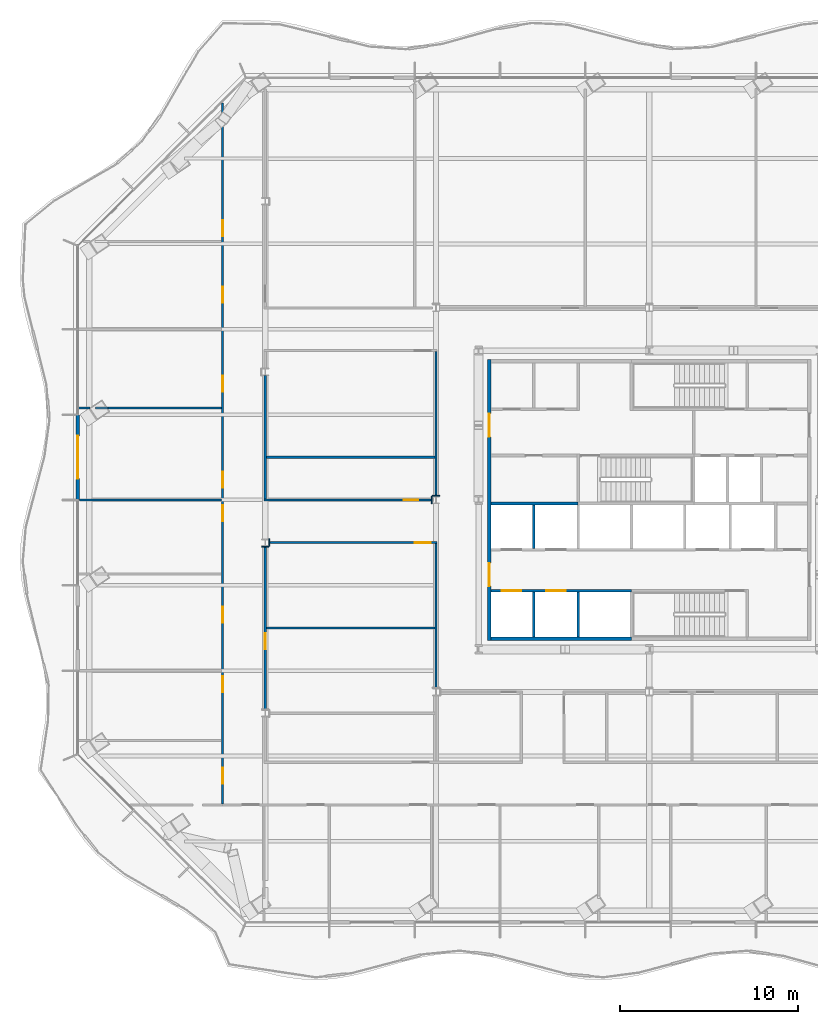
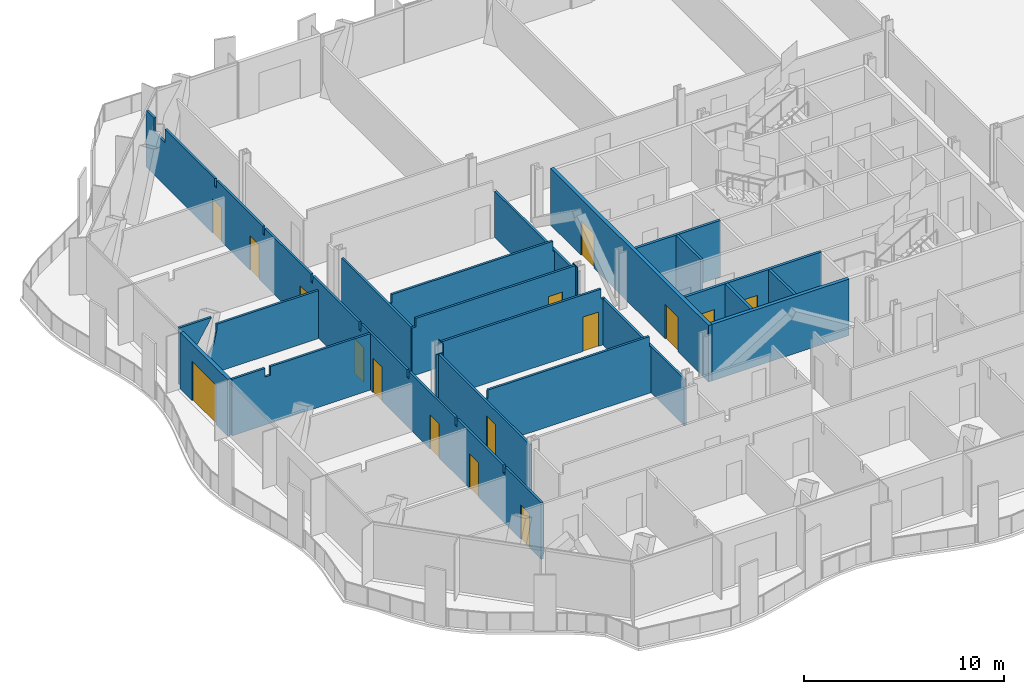
# One storey, part 7 of 20: 24 walls, 16 doors, 16 openings.
"""IFC4 building model written with IfcOpenShell, lengths in metres."""

from ifc_helpers import new_model, si_unit, direction, frame, frame_2d, origin, place, context, subcontext, project, spatial, polyline, rectangle, outline, extrude, material, layer, layer_set, type_object, element, fill, save


model = new_model("IFC4")

# Units and contexts
model_context = context("Model", 3, precision=1e-05, world=origin(), true_north=direction((0.0, 1.0)))
body_context = subcontext(model_context, "Body", "Model", "MODEL_VIEW")
ifc_project = project(units=[si_unit("LENGTHUNIT", "METRE"), si_unit("AREAUNIT", "SQUARE_METRE"), si_unit("VOLUMEUNIT", "CUBIC_METRE"), si_unit("PLANEANGLEUNIT", "RADIAN"), si_unit("MASSUNIT", "GRAM", prefix="KILO")], contexts=[model_context])

# Site, building, storey
site_placement = place(None, origin())
site = spatial("IfcSite", under=ifc_project, at=site_placement, CompositionType="ELEMENT")
building_placement = place(site_placement, origin())
building = spatial("IfcBuilding", under=site, at=building_placement, Name="Cairn Pilgrim Tower", CompositionType="ELEMENT")
storey_placement = place(building_placement, frame((0.0, 0.0, 101.39990234375)))
storey = spatial("IfcBuildingStorey", under=building, at=storey_placement, Name="L24", CompositionType="ELEMENT", Elevation=101.39990234375)

# Wall, opening, door
ifc_material_1 = material(Name="Bronze anodised aluminium insulated sandwich panel with mineral wool fill", Category="aluminium")
ifc_layer_1 = layer(ifc_material_1, 0.199951171875)
ifc_layer_set_1 = layer_set([ifc_layer_1], Name="BRONZE INFILL FRAME WALL 200")
wall_type_1 = type_object("IfcWallType", Name="BRONZE INFILL FRAME WALL 200", PredefinedType="NOTDEFINED", material=ifc_layer_set_1)
wall_1_placement = place(storey_placement, frame((-24.949951171875, 7.169921875, 0.0), z_axis=(0.0, 0.0, 1.0), x_axis=(0.0, -1.0, 0.0)))
wall_1 = element("IfcWall", 1, at=wall_1_placement, inside=storey, type_object=wall_type_1, Name="Bronze infill frame wall IW-W3", PredefinedType="NOTDEFINED", context=body_context, shape_type="SweptSolid", body=[
    extrude(rectangle(XDim=4.739990234375, YDim=0.199951171875, at=frame_2d((2.3701171875, 0.0))), origin(), (0.0, 0.0, 1.0), 3.4501953125),
])
opening_1_placement = place(wall_1_placement, frame((1.169921875, 0.0, 0.0)))
opening_1 = element("IfcOpeningElement", 2, at=opening_1_placement, cuts=wall_1, Name="Opening 2413B", PredefinedType="OPENING", context=body_context, shape_type="SweptSolid", body=[
    extrude(rectangle(XDim=2.39990234375, YDim=2.39990234375, at=frame_2d((1.199951171875, 1.199951171875))), frame((0.0, 0.10986328125, 0.0), z_axis=(0.0, -1.0, 0.0), x_axis=(1.0, 0.0, 0.0)), (0.0, 0.0, 1.0), 0.219970703125),
])
ifc_material_2 = material(Name="Bronze anodised aluminium frame with tinted low-E glass", Category="aluminium")
door_type_1 = type_object("IfcDoorType", Name="BALCONY SLIDING DOOR 2400x2400", OperationType="DOUBLE_DOOR_SLIDING", PredefinedType="DOOR", material=ifc_material_2)
door_1_placement = place(opening_1_placement, origin())
door_1 = element("IfcDoor", 3, at=door_1_placement, inside=storey, type_object=door_type_1, Name="Balcony sliding door 2413B", OperationType="SINGLE_SWING_LEFT", OverallHeight=2.39990234375, OverallWidth=2.39990234375, PredefinedType="DOOR", context=body_context, shape_type="SweptSolid", body=[
    extrude(rectangle(XDim=2.39990234375, YDim=2.39990234375, at=frame_2d((1.199951171875, 1.199951171875))), frame((0.0, 0.02490234375, 0.0), z_axis=(0.0, -1.0, 0.0), x_axis=(1.0, 0.0, 0.0)), (0.0, 0.0, 1.0), 0.050048828125),
])
fill(opening_1, door_1)

# Wall
ifc_material_3 = material(Name="Concrete C32/40", Category="concrete")
ifc_layer_2 = layer(ifc_material_3, 0.199951171875)
ifc_layer_set_2 = layer_set([ifc_layer_2], Name="CORE OUTER WALL 200 EI 120")
wall_type_2 = type_object("IfcWallType", Name="CORE OUTER WALL 200 EI 120", PredefinedType="SOLIDWALL", material=ifc_layer_set_2)
wall_2_placement = place(storey_placement, frame((-1.699951171875, -5.39990234375, 0.0), z_axis=(0.0, 0.0, 1.0), x_axis=(1.0, 0.0, 0.0)))
element("IfcWall", 4, at=wall_2_placement, inside=storey, type_object=wall_type_2, Name="CW:L24:H01-1", PredefinedType="SOLIDWALL", context=body_context, shape_type="SweptSolid", body=[
    extrude(rectangle(XDim=7.89990234375, YDim=0.199951171875, at=frame_2d((3.949951171875, 0.0))), origin(), (0.0, 0.0, 1.0), 3.4501953125),
])

# Wall, openings, doors
wall_3_placement = place(storey_placement, frame((-1.800048828125, -5.5, 0.0), z_axis=(0.0, 0.0, 1.0), x_axis=(0.0, 1.0, 0.0)))
wall_3 = element("IfcWall", 5, at=wall_3_placement, inside=storey, type_object=wall_type_2, Name="CW:L24:V12", PredefinedType="SOLIDWALL", context=body_context, shape_type="SweptSolid", body=[
    extrude(rectangle(XDim=15.800048828125, YDim=0.199951171875, at=frame_2d((7.89990234375, 0.0))), origin(), (0.0, 0.0, 1.0), 3.4501953125),
])
opening_2_placement = place(wall_3_placement, frame((3.050048828125, 0.0, 0.0)))
opening_2 = element("IfcOpeningElement", 6, at=opening_2_placement, cuts=wall_3, Name="Opening CD-W1", PredefinedType="OPENING", context=body_context, shape_type="SweptSolid", body=[
    extrude(rectangle(XDim=1.300048828125, YDim=2.10009765625, at=frame_2d((0.64990234375, 1.050048828125))), frame((0.0, 0.10986328125, 0.0), z_axis=(0.0, -1.0, 0.0), x_axis=(1.0, 0.0, 0.0)), (0.0, 0.0, 1.0), 0.219970703125),
])
opening_3_placement = place(wall_3_placement, frame((11.449951171875, 0.0, 0.0)))
opening_3 = element("IfcOpeningElement", 7, at=opening_3_placement, cuts=wall_3, Name="Opening CD-W2", PredefinedType="OPENING", context=body_context, shape_type="SweptSolid", body=[
    extrude(rectangle(XDim=1.300048828125, YDim=2.10009765625, at=frame_2d((0.64990234375, 1.050048828125))), frame((0.0, 0.10986328125, 0.0), z_axis=(0.0, -1.0, 0.0), x_axis=(1.0, 0.0, 0.0)), (0.0, 0.0, 1.0), 0.219970703125),
])
ifc_material_4 = material(Name="Painted steel", Category="steel")
door_type_2 = type_object("IfcDoorType", Name="CORE LOBBY DOOR 1300x2100", OperationType="DOUBLE_DOOR_SINGLE_SWING", PredefinedType="DOOR", material=ifc_material_4)
door_2_placement = place(opening_2_placement, origin())
door_2 = element("IfcDoor", 8, at=door_2_placement, inside=storey, type_object=door_type_2, Name="CD-W1", OperationType="DOUBLE_DOOR_SINGLE_SWING", OverallHeight=2.10009765625, OverallWidth=1.300048828125, PredefinedType="DOOR", context=body_context, shape_type="SweptSolid", body=[
    extrude(rectangle(XDim=1.300048828125, YDim=2.10009765625, at=frame_2d((0.64990234375, 1.050048828125))), frame((0.0, 0.02490234375, 0.0), z_axis=(0.0, -1.0, 0.0), x_axis=(1.0, 0.0, 0.0)), (0.0, 0.0, 1.0), 0.050048828125),
])
fill(opening_2, door_2)
door_3_placement = place(opening_3_placement, origin())
door_3 = element("IfcDoor", 9, at=door_3_placement, inside=storey, type_object=door_type_2, Name="CD-W2", OperationType="DOUBLE_DOOR_SINGLE_SWING", OverallHeight=2.10009765625, OverallWidth=1.300048828125, PredefinedType="DOOR", context=body_context, shape_type="SweptSolid", body=[
    extrude(rectangle(XDim=1.300048828125, YDim=2.10009765625, at=frame_2d((0.64990234375, 1.050048828125))), frame((0.0, 0.02490234375, 0.0), z_axis=(0.0, -1.0, 0.0), x_axis=(1.0, 0.0, 0.0)), (0.0, 0.0, 1.0), 0.050048828125),
])
fill(opening_3, door_3)

ifc_layer_3 = layer(ifc_material_3, 0.14990234375)
ifc_layer_set_3 = layer_set([ifc_layer_3], Name="CORE SHAFT WALL 150 EI 120")
wall_type_3 = type_object("IfcWallType", Name="CORE SHAFT WALL 150 EI 120", PredefinedType="SOLIDWALL", material=ifc_layer_set_3)
wall_4_placement = place(storey_placement, frame((-1.699951171875, -2.699951171875, 0.0), z_axis=(0.0, 0.0, 1.0), x_axis=(1.0, 0.0, 0.0)))
wall_4 = element("IfcWall", 10, at=wall_4_placement, inside=storey, type_object=wall_type_3, Name="CW:L24:H02-1", PredefinedType="SOLIDWALL", context=body_context, shape_type="SweptSolid", body=[
    extrude(rectangle(XDim=7.89990234375, YDim=0.14990234375, at=frame_2d((3.949951171875, 0.0))), origin(), (0.0, 0.0, 1.0), 3.4501953125),
])
opening_4_placement = place(wall_4_placement, frame((0.60009765625, 0.0, 0.0)))
opening_4 = element("IfcOpeningElement", 11, at=opening_4_placement, cuts=wall_4, Name="Opening LD-LR1", PredefinedType="OPENING", context=body_context, shape_type="SweptSolid", body=[
    extrude(rectangle(XDim=1.10009765625, YDim=2.10009765625, at=frame_2d((0.550048828125, 1.050048828125))), frame((0.0, 0.0849609375, 0.0), z_axis=(0.0, -1.0, 0.0), x_axis=(1.0, 0.0, 0.0)), (0.0, 0.0, 1.0), 0.169921875),
])
opening_5_placement = place(wall_4_placement, frame((3.10009765625, 0.0, 0.0)))
opening_5 = element("IfcOpeningElement", 12, at=opening_5_placement, cuts=wall_4, Name="Opening LD-LR2", PredefinedType="OPENING", context=body_context, shape_type="SweptSolid", body=[
    extrude(rectangle(XDim=1.10009765625, YDim=2.10009765625, at=frame_2d((0.550048828125, 1.050048828125))), frame((0.0, 0.0849609375, 0.0), z_axis=(0.0, -1.0, 0.0), x_axis=(1.0, 0.0, 0.0)), (0.0, 0.0, 1.0), 0.169921875),
])
ifc_material_5 = material(Name="Stainless steel", Category="steel")
door_type_3 = type_object("IfcDoorType", Name="LIFT LANDING DOOR 1100x2100", OperationType="DOUBLE_DOOR_SLIDING", PredefinedType="DOOR", material=ifc_material_5)
door_4_placement = place(opening_4_placement, origin())
door_4 = element("IfcDoor", 13, at=door_4_placement, inside=storey, type_object=door_type_3, Name="LANDING DOOR LR1", OperationType="DOUBLE_DOOR_SLIDING", OverallHeight=2.10009765625, OverallWidth=1.10009765625, PredefinedType="DOOR", context=body_context, shape_type="SweptSolid", body=[
    extrude(rectangle(XDim=1.10009765625, YDim=2.10009765625, at=frame_2d((0.550048828125, 1.050048828125))), frame((0.0, 0.02490234375, 0.0), z_axis=(0.0, -1.0, 0.0), x_axis=(1.0, 0.0, 0.0)), (0.0, 0.0, 1.0), 0.050048828125),
])
fill(opening_4, door_4)
door_5_placement = place(opening_5_placement, origin())
door_5 = element("IfcDoor", 14, at=door_5_placement, inside=storey, type_object=door_type_3, Name="LANDING DOOR LR2", OperationType="DOUBLE_DOOR_SLIDING", OverallHeight=2.10009765625, OverallWidth=1.10009765625, PredefinedType="DOOR", context=body_context, shape_type="SweptSolid", body=[
    extrude(rectangle(XDim=1.10009765625, YDim=2.10009765625, at=frame_2d((0.550048828125, 1.050048828125))), frame((0.0, 0.02490234375, 0.0), z_axis=(0.0, -1.0, 0.0), x_axis=(1.0, 0.0, 0.0)), (0.0, 0.0, 1.0), 0.050048828125),
])
fill(opening_5, door_5)

# Walls
wall_5_placement = place(storey_placement, frame((-1.699951171875, 2.199951171875, 0.0), z_axis=(0.0, 0.0, 1.0), x_axis=(1.0, 0.0, 0.0)))
element("IfcWall", 15, at=wall_5_placement, inside=storey, type_object=wall_type_3, Name="CW:L24:H05-1", PredefinedType="SOLIDWALL", context=body_context, shape_type="SweptSolid", body=[
    extrude(rectangle(XDim=4.89990234375, YDim=0.14990234375, at=frame_2d((2.449951171875, 0.0))), origin(), (0.0, 0.0, 1.0), 3.4501953125),
])
wall_6_placement = place(storey_placement, frame((0.699951171875, -5.300048828125, 0.0), z_axis=(0.0, 0.0, 1.0), x_axis=(0.0, 1.0, 0.0)))
element("IfcWall", 16, at=wall_6_placement, inside=storey, type_object=wall_type_3, Name="CW:L24:V13", PredefinedType="SOLIDWALL", context=body_context, shape_type="SweptSolid", body=[
    extrude(rectangle(XDim=2.525146484375, YDim=0.14990234375, at=frame_2d((1.2626953125, 0.0))), origin(), (0.0, 0.0, 1.0), 3.4501953125),
])
wall_7_placement = place(storey_placement, frame((0.699951171875, -0.324951171875, 0.0), z_axis=(0.0, 0.0, 1.0), x_axis=(0.0, 1.0, 0.0)))
element("IfcWall", 17, at=wall_7_placement, inside=storey, type_object=wall_type_3, Name="CW:L24:V14", PredefinedType="SOLIDWALL", context=body_context, shape_type="SweptSolid", body=[
    extrude(rectangle(XDim=2.449951171875, YDim=0.14990234375, at=frame_2d((1.22509765625, 0.0))), origin(), (0.0, 0.0, 1.0), 3.4501953125),
])
wall_8_placement = place(storey_placement, frame((3.199951171875, -5.300048828125, 0.0), z_axis=(0.0, 0.0, 1.0), x_axis=(0.0, 1.0, 0.0)))
element("IfcWall", 18, at=wall_8_placement, inside=storey, type_object=wall_type_3, Name="CW:L24:V16", PredefinedType="SOLIDWALL", context=body_context, shape_type="SweptSolid", body=[
    extrude(rectangle(XDim=2.525146484375, YDim=0.14990234375, at=frame_2d((1.2626953125, 0.0))), origin(), (0.0, 0.0, 1.0), 3.4501953125),
])

# Wall, openings, doors
ifc_material_6 = material(Name="Gypsum partition")
ifc_layer_4 = layer(ifc_material_6, 0.125)
ifc_layer_set_4 = layer_set([ifc_layer_4], Name="PARTITION 125 DRYWALL EI 60")
wall_type_4 = type_object("IfcWallType", Name="PARTITION 125 DRYWALL EI 60", PredefinedType="PARTITIONING", material=ifc_layer_set_4)
wall_9_placement = place(storey_placement, frame((-16.800048828125, -14.6875, 0.0), z_axis=(0.0, 0.0, 1.0), x_axis=(0.0, 1.0, 0.0)))
wall_9 = element("IfcWall", 19, at=wall_9_placement, inside=storey, type_object=wall_type_4, Name="PARTITION W017", PredefinedType="PARTITIONING", context=body_context, shape_type="SweptSolid", body=[
    extrude(outline(polyline([(0.0, 0.0), (39.426025390625, 0.0), (39.426025390625, 3.4501953125), (38.66796875, 3.4501953125), (38.666015625, 2.630126953125), (37.552978515625, 2.630126953125), (37.55078125, 3.4501953125), (32.591064453125, 3.4501953125), (32.589111328125, 2.97998046875), (32.401123046875, 2.97998046875), (32.399169921875, 3.4501953125), (27.791015625, 3.4501953125), (27.7890625, 2.97998046875), (27.60107421875, 2.97998046875), (27.59912109375, 3.4501953125), (22.9912109375, 3.4501953125), (22.989013671875, 2.97998046875), (22.801025390625, 2.97998046875), (22.799072265625, 3.4501953125), (18.191162109375, 3.4501953125), (18.189208984375, 2.97998046875), (18.001220703125, 2.97998046875), (17.9990234375, 3.4501953125), (13.39111328125, 3.4501953125), (13.38916015625, 2.97998046875), (13.201171875, 2.97998046875), (13.19921875, 3.4501953125), (8.591064453125, 3.4501953125), (8.589111328125, 2.97998046875), (8.401123046875, 2.97998046875), (8.399169921875, 3.4501953125), (3.791015625, 3.4501953125), (3.7890625, 2.97998046875), (3.60107421875, 2.97998046875), (3.59912109375, 3.4501953125), (0.0, 3.4501953125), (0.0, 0.0)])), frame((0.0, 0.0625, 0.0), z_axis=(0.0, -1.0, 0.0), x_axis=(1.0, 0.0, 0.0)), (0.0, 0.0, 1.0), 0.125),
])
opening_6_placement = place(wall_9_placement, frame((1.137451171875, 0.0, 0.0)))
opening_6 = element("IfcOpeningElement", 20, at=opening_6_placement, cuts=wall_9, Name="Opening 2409", PredefinedType="OPENING", context=body_context, shape_type="SweptSolid", body=[
    extrude(rectangle(XDim=0.89990234375, YDim=2.10009765625, at=frame_2d((0.449951171875, 1.050048828125))), frame((0.0, 0.072509765625, 0.0), z_axis=(0.0, -1.0, 0.0), x_axis=(1.0, 0.0, 0.0)), (0.0, 0.0, 1.0), 0.14501953125),
])
opening_7_placement = place(wall_9_placement, frame((6.264404296875, 0.0, 0.0)))
opening_7 = element("IfcOpeningElement", 21, at=opening_7_placement, cuts=wall_9, Name="Opening 2410", PredefinedType="OPENING", context=body_context, shape_type="SweptSolid", body=[
    extrude(rectangle(XDim=0.89990234375, YDim=2.10009765625, at=frame_2d((0.449951171875, 1.050048828125))), frame((0.0, 0.072509765625, 0.0), z_axis=(0.0, -1.0, 0.0), x_axis=(1.0, 0.0, 0.0)), (0.0, 0.0, 1.0), 0.14501953125),
])
opening_8_placement = place(wall_9_placement, frame((10.1875, 0.0, 0.0)))
opening_8 = element("IfcOpeningElement", 22, at=opening_8_placement, cuts=wall_9, Name="Opening 2411", PredefinedType="OPENING", context=body_context, shape_type="SweptSolid", body=[
    extrude(rectangle(XDim=0.89990234375, YDim=2.10009765625, at=frame_2d((0.449951171875, 1.050048828125))), frame((0.0, 0.072509765625, 0.0), z_axis=(0.0, -1.0, 0.0), x_axis=(1.0, 0.0, 0.0)), (0.0, 0.0, 1.0), 0.14501953125),
])
opening_9_placement = place(wall_9_placement, frame((15.887451171875, 0.0, 0.0)))
opening_9 = element("IfcOpeningElement", 23, at=opening_9_placement, cuts=wall_9, Name="Opening 2412", PredefinedType="OPENING", context=body_context, shape_type="SweptSolid", body=[
    extrude(rectangle(XDim=0.89990234375, YDim=2.10009765625, at=frame_2d((0.449951171875, 1.050048828125))), frame((0.0, 0.072509765625, 0.0), z_axis=(0.0, -1.0, 0.0), x_axis=(1.0, 0.0, 0.0)), (0.0, 0.0, 1.0), 0.14501953125),
])
opening_10_placement = place(wall_9_placement, frame((17.78759765625, 0.0, 0.0)))
opening_10 = element("IfcOpeningElement", 24, at=opening_10_placement, cuts=wall_9, Name="Opening 2413", PredefinedType="OPENING", context=body_context, shape_type="SweptSolid", body=[
    extrude(rectangle(XDim=0.89990234375, YDim=2.10009765625, at=frame_2d((0.449951171875, 1.050048828125))), frame((0.0, 0.072509765625, 0.0), z_axis=(0.0, -1.0, 0.0), x_axis=(1.0, 0.0, 0.0)), (0.0, 0.0, 1.0), 0.14501953125),
])
opening_11_placement = place(wall_9_placement, frame((23.16748046875, 0.0, 0.0)))
opening_11 = element("IfcOpeningElement", 25, at=opening_11_placement, cuts=wall_9, Name="Opening 2414", PredefinedType="OPENING", context=body_context, shape_type="SweptSolid", body=[
    extrude(rectangle(XDim=0.89990234375, YDim=2.10009765625, at=frame_2d((0.449951171875, 1.050048828125))), frame((0.0, 0.072509765625, 0.0), z_axis=(0.0, -1.0, 0.0), x_axis=(1.0, 0.0, 0.0)), (0.0, 0.0, 1.0), 0.14501953125),
])
opening_12_placement = place(wall_9_placement, frame((28.1875, 0.0, 0.0)))
opening_12 = element("IfcOpeningElement", 26, at=opening_12_placement, cuts=wall_9, Name="Opening 2415", PredefinedType="OPENING", context=body_context, shape_type="SweptSolid", body=[
    extrude(rectangle(XDim=0.89990234375, YDim=2.10009765625, at=frame_2d((0.449951171875, 1.050048828125))), frame((0.0, 0.072509765625, 0.0), z_axis=(0.0, -1.0, 0.0), x_axis=(1.0, 0.0, 0.0)), (0.0, 0.0, 1.0), 0.14501953125),
])
opening_13_placement = place(wall_9_placement, frame((31.91943359375, 0.0, 0.0)))
opening_13 = element("IfcOpeningElement", 27, at=opening_13_placement, cuts=wall_9, Name="Opening 2416", PredefinedType="OPENING", context=body_context, shape_type="SweptSolid", body=[
    extrude(rectangle(XDim=0.89990234375, YDim=2.10009765625, at=frame_2d((0.449951171875, 1.050048828125))), frame((0.0, 0.072509765625, 0.0), z_axis=(0.0, -1.0, 0.0), x_axis=(1.0, 0.0, 0.0)), (0.0, 0.0, 1.0), 0.14501953125),
])
ifc_material_7 = material(Name="Steel-faced fire door leaf", Category="steel")
door_type_4 = type_object("IfcDoorType", Name="FIRE DOOR 900x2100 FD30S", OperationType="NOTDEFINED", PredefinedType="DOOR", material=ifc_material_7)
door_6_placement = place(opening_6_placement, origin())
door_6 = element("IfcDoor", 28, at=door_6_placement, inside=storey, type_object=door_type_4, Name="DOOR 2409", OperationType="SINGLE_SWING_RIGHT", OverallHeight=2.10009765625, OverallWidth=0.89990234375, PredefinedType="DOOR", context=body_context, shape_type="SweptSolid", body=[
    extrude(rectangle(XDim=0.89990234375, YDim=2.10009765625, at=frame_2d((0.449951171875, 1.050048828125))), frame((0.0, 0.02490234375, 0.0), z_axis=(0.0, -1.0, 0.0), x_axis=(1.0, 0.0, 0.0)), (0.0, 0.0, 1.0), 0.050048828125),
])
fill(opening_6, door_6)
door_7_placement = place(opening_7_placement, origin())
door_7 = element("IfcDoor", 29, at=door_7_placement, inside=storey, type_object=door_type_4, Name="DOOR 2410", OperationType="SINGLE_SWING_LEFT", OverallHeight=2.10009765625, OverallWidth=0.89990234375, PredefinedType="DOOR", context=body_context, shape_type="SweptSolid", body=[
    extrude(rectangle(XDim=0.89990234375, YDim=2.10009765625, at=frame_2d((0.449951171875, 1.050048828125))), frame((0.0, 0.02490234375, 0.0), z_axis=(0.0, -1.0, 0.0), x_axis=(1.0, 0.0, 0.0)), (0.0, 0.0, 1.0), 0.050048828125),
])
fill(opening_7, door_7)
door_8_placement = place(opening_8_placement, origin())
door_8 = element("IfcDoor", 30, at=door_8_placement, inside=storey, type_object=door_type_4, Name="DOOR 2411", OperationType="SINGLE_SWING_RIGHT", OverallHeight=2.10009765625, OverallWidth=0.89990234375, PredefinedType="DOOR", context=body_context, shape_type="SweptSolid", body=[
    extrude(rectangle(XDim=0.89990234375, YDim=2.10009765625, at=frame_2d((0.449951171875, 1.050048828125))), frame((0.0, 0.02490234375, 0.0), z_axis=(0.0, -1.0, 0.0), x_axis=(1.0, 0.0, 0.0)), (0.0, 0.0, 1.0), 0.050048828125),
])
fill(opening_8, door_8)
door_9_placement = place(opening_9_placement, origin())
door_9 = element("IfcDoor", 31, at=door_9_placement, inside=storey, type_object=door_type_4, Name="DOOR 2412", OperationType="SINGLE_SWING_LEFT", OverallHeight=2.10009765625, OverallWidth=0.89990234375, PredefinedType="DOOR", context=body_context, shape_type="SweptSolid", body=[
    extrude(rectangle(XDim=0.89990234375, YDim=2.10009765625, at=frame_2d((0.449951171875, 1.050048828125))), frame((0.0, 0.02490234375, 0.0), z_axis=(0.0, -1.0, 0.0), x_axis=(1.0, 0.0, 0.0)), (0.0, 0.0, 1.0), 0.050048828125),
])
fill(opening_9, door_9)
door_10_placement = place(opening_10_placement, origin())
door_10 = element("IfcDoor", 32, at=door_10_placement, inside=storey, type_object=door_type_4, Name="DOOR 2413", OperationType="SINGLE_SWING_RIGHT", OverallHeight=2.10009765625, OverallWidth=0.89990234375, PredefinedType="DOOR", context=body_context, shape_type="SweptSolid", body=[
    extrude(rectangle(XDim=0.89990234375, YDim=2.10009765625, at=frame_2d((0.449951171875, 1.050048828125))), frame((0.0, 0.02490234375, 0.0), z_axis=(0.0, -1.0, 0.0), x_axis=(1.0, 0.0, 0.0)), (0.0, 0.0, 1.0), 0.050048828125),
])
fill(opening_10, door_10)
door_11_placement = place(opening_11_placement, origin())
door_11 = element("IfcDoor", 33, at=door_11_placement, inside=storey, type_object=door_type_4, Name="DOOR 2414", OperationType="SINGLE_SWING_LEFT", OverallHeight=2.10009765625, OverallWidth=0.89990234375, PredefinedType="DOOR", context=body_context, shape_type="SweptSolid", body=[
    extrude(rectangle(XDim=0.89990234375, YDim=2.10009765625, at=frame_2d((0.449951171875, 1.050048828125))), frame((0.0, 0.02490234375, 0.0), z_axis=(0.0, -1.0, 0.0), x_axis=(1.0, 0.0, 0.0)), (0.0, 0.0, 1.0), 0.050048828125),
])
fill(opening_11, door_11)
door_12_placement = place(opening_12_placement, origin())
door_12 = element("IfcDoor", 34, at=door_12_placement, inside=storey, type_object=door_type_4, Name="DOOR 2415", OperationType="SINGLE_SWING_RIGHT", OverallHeight=2.10009765625, OverallWidth=0.89990234375, PredefinedType="DOOR", context=body_context, shape_type="SweptSolid", body=[
    extrude(rectangle(XDim=0.89990234375, YDim=2.10009765625, at=frame_2d((0.449951171875, 1.050048828125))), frame((0.0, 0.02490234375, 0.0), z_axis=(0.0, -1.0, 0.0), x_axis=(1.0, 0.0, 0.0)), (0.0, 0.0, 1.0), 0.050048828125),
])
fill(opening_12, door_12)
door_13_placement = place(opening_13_placement, origin())
door_13 = element("IfcDoor", 35, at=door_13_placement, inside=storey, type_object=door_type_4, Name="DOOR 2416", OperationType="SINGLE_SWING_LEFT", OverallHeight=2.10009765625, OverallWidth=0.89990234375, PredefinedType="DOOR", context=body_context, shape_type="SweptSolid", body=[
    extrude(rectangle(XDim=0.89990234375, YDim=2.10009765625, at=frame_2d((0.449951171875, 1.050048828125))), frame((0.0, 0.02490234375, 0.0), z_axis=(0.0, -1.0, 0.0), x_axis=(1.0, 0.0, 0.0)), (0.0, 0.0, 1.0), 0.050048828125),
])
fill(opening_13, door_13)

# Wall, opening, door
wall_10_placement = place(storey_placement, frame((-14.39990234375, -9.387451171875, 0.0), z_axis=(0.0, 0.0, 1.0), x_axis=(0.0, 1.0, 0.0)))
wall_10 = element("IfcWall", 36, at=wall_10_placement, inside=storey, type_object=wall_type_4, Name="PARTITION W031", PredefinedType="PARTITIONING", context=body_context, shape_type="SweptSolid", body=[
    extrude(rectangle(XDim=9.175048828125, YDim=0.125, at=frame_2d((4.58740234375, 0.0))), origin(), (0.0, 0.0, 1.0), 2.93017578125),
])
opening_14_placement = place(wall_10_placement, frame((3.387451171875, 0.0, 0.0)))
opening_14 = element("IfcOpeningElement", 37, at=opening_14_placement, cuts=wall_10, Name="Opening 2426", PredefinedType="OPENING", context=body_context, shape_type="SweptSolid", body=[
    extrude(rectangle(XDim=0.89990234375, YDim=2.10009765625, at=frame_2d((0.449951171875, 1.050048828125))), frame((0.0, 0.072509765625, 0.0), z_axis=(0.0, -1.0, 0.0), x_axis=(1.0, 0.0, 0.0)), (0.0, 0.0, 1.0), 0.14501953125),
])
door_14_placement = place(opening_14_placement, frame((0.89990234375, 0.0, 0.0), z_axis=(0.0, 0.0, 1.0), x_axis=(-1.0, 0.0, 0.0)))
door_14 = element("IfcDoor", 38, at=door_14_placement, inside=storey, type_object=door_type_4, Name="DOOR 2426", OperationType="SINGLE_SWING_LEFT", OverallHeight=2.10009765625, OverallWidth=0.89990234375, PredefinedType="DOOR", context=body_context, shape_type="SweptSolid", body=[
    extrude(rectangle(XDim=0.89990234375, YDim=2.10009765625, at=frame_2d((0.449951171875, 1.050048828125))), frame((0.0, 0.02490234375, 0.0), z_axis=(0.0, -1.0, 0.0), x_axis=(1.0, 0.0, 0.0)), (0.0, 0.0, 1.0), 0.050048828125),
])
fill(opening_14, door_14)

# Walls
wall_11_placement = place(storey_placement, frame((-4.800048828125, -8.1875, 0.0), z_axis=(0.0, 0.0, 1.0), x_axis=(0.0, 1.0, 0.0)))
element("IfcWall", 39, at=wall_11_placement, inside=storey, type_object=wall_type_4, Name="PARTITION W035", PredefinedType="PARTITIONING", context=body_context, shape_type="SweptSolid", body=[
    extrude(rectangle(XDim=8.125, YDim=0.125, at=frame_2d((4.0625, 0.0))), origin(), (0.0, 0.0, 1.0), 2.830078125),
])
wall_12_placement = place(storey_placement, frame((-14.33740234375, -4.800048828125, 0.0), z_axis=(0.0, 0.0, 1.0), x_axis=(1.0, 0.0, 0.0)))
element("IfcWall", 40, at=wall_12_placement, inside=storey, type_object=wall_type_4, Name="PARTITION W039", PredefinedType="PARTITIONING", context=body_context, shape_type="SweptSolid", body=[
    extrude(outline(polyline([(0.0, 0.0), (9.474853515625, 0.0), (9.47509765625, 2.830078125), (9.387451171875, 2.830078125), (9.385498046875, 3.4501953125), (0.08740234375, 3.4501953125), (0.08544921875, 2.93017578125), (0.0, 2.93017578125), (0.0, 0.0)])), frame((0.0, 0.0625, 0.0), z_axis=(0.0, -1.0, 0.0), x_axis=(1.0, 0.0, 0.0)), (0.0, 0.0, 1.0), 0.125),
])

# Wall, opening, door
wall_13_placement = place(storey_placement, frame((-14.195556640625, 0.0, 0.0), z_axis=(0.0, 0.0, 1.0), x_axis=(1.0, 0.0, 0.0)))
wall_13 = element("IfcWall", 41, at=wall_13_placement, inside=storey, type_object=wall_type_4, Name="PARTITION W043", PredefinedType="PARTITIONING", context=body_context, shape_type="SweptSolid", body=[
    extrude(outline(polyline([(0.0, 0.0), (9.4580078125, 0.0), (9.4580078125, 2.830078125), (9.24560546875, 2.830078125), (9.243408203125, 3.4501953125), (0.0, 3.4501953125), (0.0, 0.0)])), frame((0.0, 0.0625, 0.0), z_axis=(0.0, -1.0, 0.0), x_axis=(1.0, 0.0, 0.0)), (0.0, 0.0, 1.0), 0.125),
])
opening_15_placement = place(wall_13_placement, frame((8.195556640625, 0.0, 0.0)))
opening_15 = element("IfcOpeningElement", 42, at=opening_15_placement, cuts=wall_13, Name="Opening 2427", PredefinedType="OPENING", context=body_context, shape_type="SweptSolid", body=[
    extrude(rectangle(XDim=0.89990234375, YDim=2.10009765625, at=frame_2d((0.449951171875, 1.050048828125))), frame((0.0, 0.072509765625, 0.0), z_axis=(0.0, -1.0, 0.0), x_axis=(1.0, 0.0, 0.0)), (0.0, 0.0, 1.0), 0.14501953125),
])
door_15_placement = place(opening_15_placement, frame((0.89990234375, 0.0, 0.0), z_axis=(0.0, 0.0, 1.0), x_axis=(-1.0, 0.0, 0.0)))
door_15 = element("IfcDoor", 43, at=door_15_placement, inside=storey, type_object=door_type_4, Name="DOOR 2427", OperationType="SINGLE_SWING_RIGHT", OverallHeight=2.10009765625, OverallWidth=0.89990234375, PredefinedType="DOOR", context=body_context, shape_type="SweptSolid", body=[
    extrude(rectangle(XDim=0.89990234375, YDim=2.10009765625, at=frame_2d((0.449951171875, 1.050048828125))), frame((0.0, 0.02490234375, 0.0), z_axis=(0.0, -1.0, 0.0), x_axis=(1.0, 0.0, 0.0)), (0.0, 0.0, 1.0), 0.050048828125),
])
fill(opening_15, door_15)

# Wall
wall_14_placement = place(storey_placement, frame((-24.85009765625, 2.39990234375, 0.0), z_axis=(0.0, 0.0, 1.0), x_axis=(1.0, 0.0, 0.0)))
element("IfcWall", 44, at=wall_14_placement, inside=storey, type_object=wall_type_4, Name="PARTITION W044", PredefinedType="PARTITIONING", context=body_context, shape_type="SweptSolid", body=[
    extrude(outline(polyline([(0.0, 0.0), (7.987548828125, 0.0), (7.987548828125, 3.4501953125), (2.212890625, 3.4501953125), (2.2109375, 2.93017578125), (1.912841796875, 2.93017578125), (1.910888671875, 3.4501953125), (0.0, 3.4501953125), (0.0, 0.0)])), frame((0.0, 0.0625, 0.0), z_axis=(0.0, -1.0, 0.0), x_axis=(1.0, 0.0, 0.0)), (0.0, 0.0, 1.0), 0.125),
])

# Wall, opening, door
wall_15_placement = place(storey_placement, frame((-14.46240234375, 2.39990234375, 0.0), z_axis=(0.0, 0.0, 1.0), x_axis=(1.0, 0.0, 0.0)))
wall_15 = element("IfcWall", 45, at=wall_15_placement, inside=storey, type_object=wall_type_4, Name="PARTITION W045", PredefinedType="PARTITIONING", context=body_context, shape_type="SweptSolid", body=[
    extrude(outline(polyline([(0.0, 0.0), (9.4580078125, 0.0), (9.4580078125, 3.4501953125), (0.21240234375, 3.4501953125), (0.21044921875, 2.93017578125), (0.0, 2.93017578125), (0.0, 0.0)])), frame((0.0, 0.0625, 0.0), z_axis=(0.0, -1.0, 0.0), x_axis=(1.0, 0.0, 0.0)), (0.0, 0.0, 1.0), 0.125),
])
opening_16_placement = place(wall_15_placement, frame((7.862548828125, 0.0, 0.0)))
opening_16 = element("IfcOpeningElement", 46, at=opening_16_placement, cuts=wall_15, Name="Opening 2428", PredefinedType="OPENING", context=body_context, shape_type="SweptSolid", body=[
    extrude(rectangle(XDim=0.800048828125, YDim=2.10009765625, at=frame_2d((0.39990234375, 1.050048828125))), frame((0.0, 0.072509765625, 0.0), z_axis=(0.0, -1.0, 0.0), x_axis=(1.0, 0.0, 0.0)), (0.0, 0.0, 1.0), 0.14501953125),
])
door_type_5 = type_object("IfcDoorType", Name="FIRE DOOR 800x2100 FD30S", OperationType="NOTDEFINED", PredefinedType="DOOR", material=ifc_material_7)
door_16_placement = place(opening_16_placement, origin())
door_16 = element("IfcDoor", 47, at=door_16_placement, inside=storey, type_object=door_type_5, Name="DOOR 2428", OperationType="SINGLE_SWING_LEFT", OverallHeight=2.10009765625, OverallWidth=0.800048828125, PredefinedType="DOOR", context=body_context, shape_type="SweptSolid", body=[
    extrude(rectangle(XDim=0.800048828125, YDim=2.10009765625, at=frame_2d((0.39990234375, 1.050048828125))), frame((0.0, 0.02490234375, 0.0), z_axis=(0.0, -1.0, 0.0), x_axis=(1.0, 0.0, 0.0)), (0.0, 0.0, 1.0), 0.050048828125),
])
fill(opening_16, door_16)

# Walls
wall_16_placement = place(storey_placement, frame((-14.39990234375, 2.46240234375, 0.0), z_axis=(0.0, 0.0, 1.0), x_axis=(0.0, 1.0, 0.0)))
element("IfcWall", 48, at=wall_16_placement, inside=storey, type_object=wall_type_4, Name="PARTITION W047", PredefinedType="PARTITIONING", context=body_context, shape_type="SweptSolid", body=[
    extrude(rectangle(XDim=6.925048828125, YDim=0.125, at=frame_2d((3.46240234375, 0.0))), origin(), (0.0, 0.0, 1.0), 2.93017578125),
])
wall_17_placement = place(storey_placement, frame((-4.800048828125, 2.612548828125, 0.0), z_axis=(0.0, 0.0, 1.0), x_axis=(0.0, 1.0, 0.0)))
element("IfcWall", 49, at=wall_17_placement, inside=storey, type_object=wall_type_4, Name="PARTITION W048", PredefinedType="PARTITIONING", context=body_context, shape_type="SweptSolid", body=[
    extrude(rectangle(XDim=8.125, YDim=0.125, at=frame_2d((4.0625, 0.0))), origin(), (0.0, 0.0, 1.0), 2.830078125),
])
wall_18_placement = place(storey_placement, frame((-14.33740234375, 4.800048828125, 0.0), z_axis=(0.0, 0.0, 1.0), x_axis=(1.0, 0.0, 0.0)))
element("IfcWall", 50, at=wall_18_placement, inside=storey, type_object=wall_type_4, Name="PARTITION W050", PredefinedType="PARTITIONING", context=body_context, shape_type="SweptSolid", body=[
    extrude(outline(polyline([(0.0, 0.0), (9.474853515625, 0.0), (9.47509765625, 2.830078125), (9.387451171875, 2.830078125), (9.385498046875, 3.4501953125), (0.08740234375, 3.4501953125), (0.08544921875, 2.93017578125), (0.0, 2.93017578125), (0.0, 0.0)])), frame((0.0, 0.0625, 0.0), z_axis=(0.0, -1.0, 0.0), x_axis=(1.0, 0.0, 0.0)), (0.0, 0.0, 1.0), 0.125),
])
wall_19_placement = place(storey_placement, frame((-24.903076171875, 7.580078125, 0.0), z_axis=(0.0, 0.0, 1.0), x_axis=(1.0, 0.0, 0.0)))
element("IfcWall", 51, at=wall_19_placement, inside=storey, type_object=wall_type_4, Name="PARTITION W051", PredefinedType="PARTITIONING", context=body_context, shape_type="SweptSolid", body=[
    extrude(outline(polyline([(0.0, 0.0), (0.54443359375, 0.0), (0.54443359375, 0.862548828125), (0.82470703125, 1.72509765625), (1.348388671875, 2.587646484375), (1.871826171875, 3.4501953125), (0.0, 3.4501953125), (0.0, 2.587646484375), (0.0, 1.72509765625), (0.0, 0.862548828125), (0.0, 0.0)])), frame((0.0, 0.0625, 0.0), z_axis=(0.0, -1.0, 0.0), x_axis=(1.0, 0.0, 0.0)), (0.0, 0.0, 1.0), 0.125),
])
wall_20_placement = place(storey_placement, frame((-23.96484375, 7.580078125, 0.0), z_axis=(0.0, 0.0, 1.0), x_axis=(1.0, 0.0, 0.0)))
element("IfcWall", 52, at=wall_20_placement, inside=storey, type_object=wall_type_4, Name="PARTITION W052", PredefinedType="PARTITIONING", context=body_context, shape_type="SweptSolid", body=[
    extrude(outline(polyline([(0.0, 0.0), (7.102294921875, 0.0), (7.102294921875, 0.862548828125), (7.102294921875, 1.72509765625), (7.102294921875, 2.587646484375), (7.102294921875, 2.93017578125), (1.236083984375, 2.93017578125), (1.236083984375, 2.587646484375), (1.047119140625, 1.72509765625), (0.523681640625, 0.862548828125), (0.0, 0.0)])), frame((0.0, 0.0625, 0.0), z_axis=(0.0, -1.0, 0.0), x_axis=(1.0, 0.0, 0.0)), (0.0, 0.0, 1.0), 0.125),
])
ifc_layer_5 = layer(ifc_material_6, 0.050048828125)
ifc_layer_set_5 = layer_set([ifc_layer_5], Name="PARTITION 50 DRYWALL EI 60")
wall_type_5 = type_object("IfcWallType", Name="PARTITION 50 DRYWALL EI 60", PredefinedType="PARTITIONING", material=ifc_layer_set_5)
wall_21_placement = place(storey_placement, frame((-14.17041015625, -0.21240234375, 0.0), z_axis=(0.0, 0.0, 1.0), x_axis=(0.0, 1.0, 0.0)))
element("IfcWall", 53, at=wall_21_placement, inside=storey, type_object=wall_type_5, Name="COLUMN CASING WC05", PredefinedType="PARTITIONING", context=body_context, shape_type="SweptSolid", body=[
    extrude(rectangle(XDim=0.4248046875, YDim=0.050048828125, at=frame_2d((0.21240234375, 0.0))), origin(), (0.0, 0.0, 1.0), 3.4501953125),
])
wall_22_placement = place(storey_placement, frame((-14.6044921875, -0.237548828125, 0.0), z_axis=(0.0, 0.0, 1.0), x_axis=(1.0, 0.0, 0.0)))
element("IfcWall", 54, at=wall_22_placement, inside=storey, type_object=wall_type_5, Name="COLUMN CASING WC10", PredefinedType="PARTITIONING", context=body_context, shape_type="SweptSolid", body=[
    extrude(rectangle(XDim=0.408935546875, YDim=0.050048828125, at=frame_2d((0.20458984375, 0.0))), origin(), (0.0, 0.0, 1.0), 2.93017578125),
])
wall_23_placement = place(storey_placement, frame((-5.00439453125, 2.637451171875, 0.0), z_axis=(0.0, 0.0, 1.0), x_axis=(1.0, 0.0, 0.0)))
element("IfcWall", 55, at=wall_23_placement, inside=storey, type_object=wall_type_5, Name="COLUMN CASING WC11", PredefinedType="PARTITIONING", context=body_context, shape_type="SweptSolid", body=[
    extrude(rectangle(XDim=0.408935546875, YDim=0.050048828125, at=frame_2d((0.20458984375, 0.0))), origin(), (0.0, 0.0, 1.0), 2.830078125),
])
wall_24_placement = place(storey_placement, frame((-5.029541015625, 2.1875, 0.0), z_axis=(0.0, 0.0, 1.0), x_axis=(0.0, 1.0, 0.0)))
element("IfcWall", 56, at=wall_24_placement, inside=storey, type_object=wall_type_5, Name="COLUMN CASING WC14", PredefinedType="PARTITIONING", context=body_context, shape_type="SweptSolid", body=[
    extrude(rectangle(XDim=0.425048828125, YDim=0.050048828125, at=frame_2d((0.21240234375, 0.0))), origin(), (0.0, 0.0, 1.0), 3.4501953125),
])

save(model, "model.ifc")
